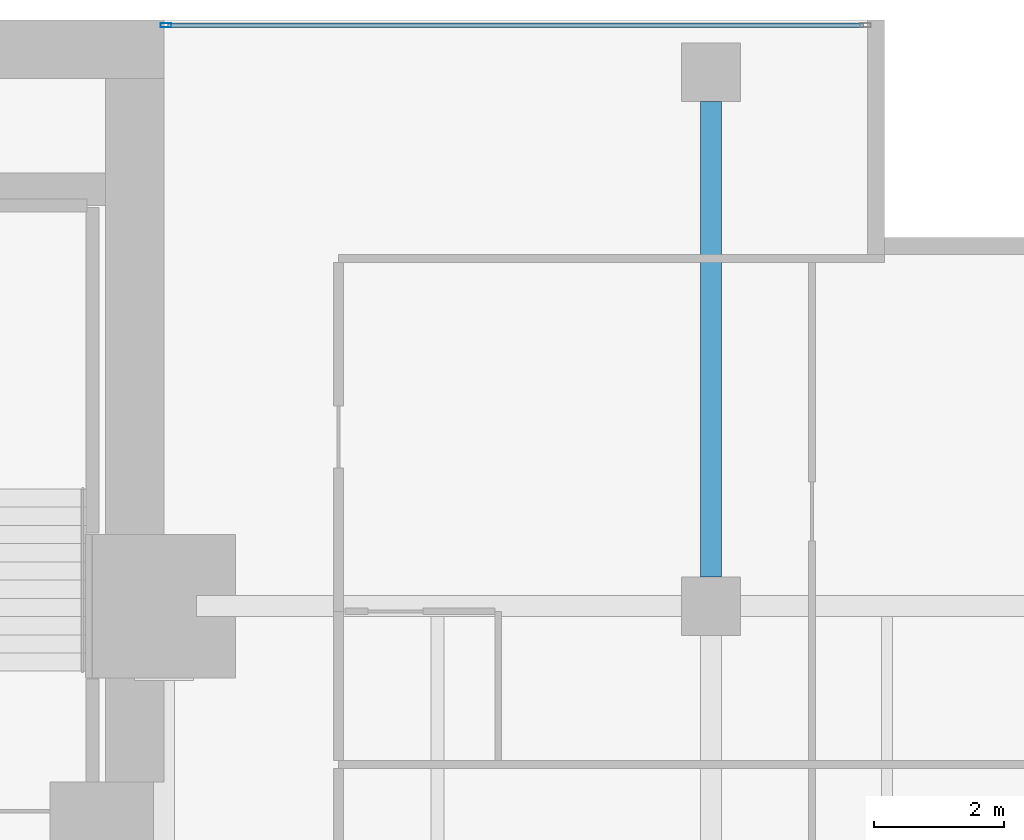
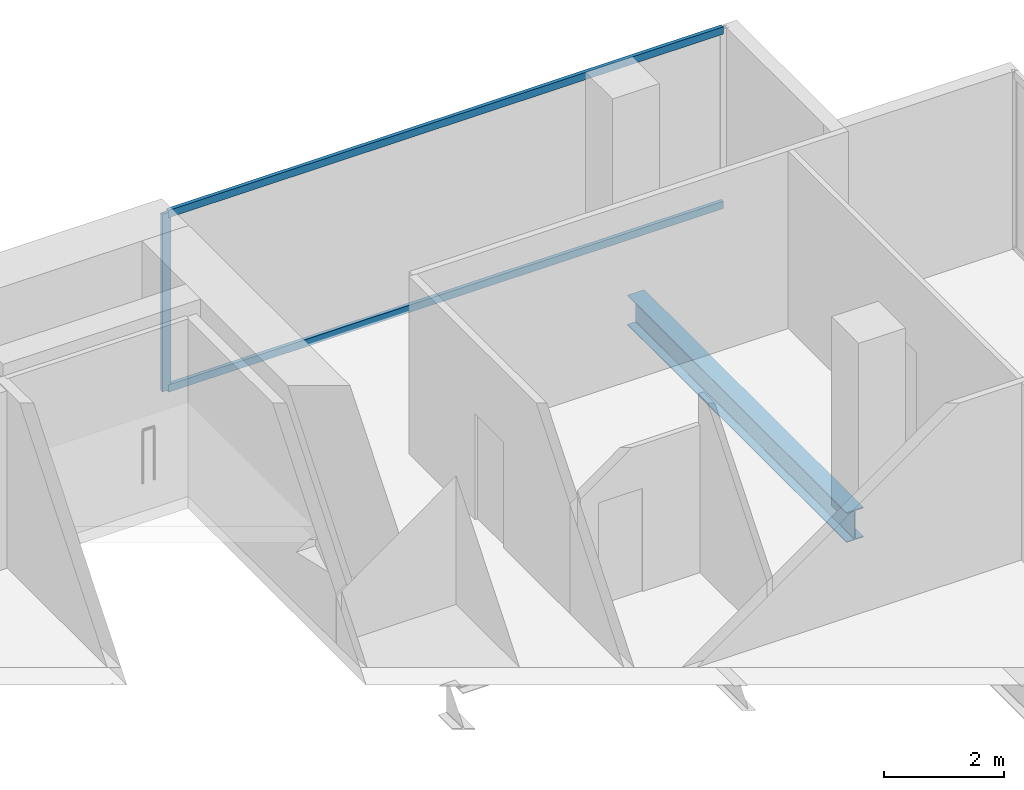
# One storey, part 30 of 40: 3 members, 1 beam, 1 element without a shape of its own.
"""IFC4 building model written with IfcOpenShell, lengths in metres."""

import ifcopenshell
import ifcopenshell.guid

model = None  # the IFC model being written
_history = None  # IfcOwnerHistory: only IFC2X3 demands one
_inside = {}  # id of a spatial element -> (the spatial element, [elements in it])
_under = {}  # id of a project, library or spatial element -> (it, [spatial elements below it])
_declared = {}  # id of a project -> (the project, [libraries it declares])
_typed = {}  # id of a type object -> (the type object, [elements of that type])
_made_of = {}  # id of a material, layer set ... -> (it, [elements and type objects made of it])


def new_model(schema):
    """Start an empty IFC model of exactly this schema.

    Asked for "IFC4X3", IfcOpenShell would pick the latest addendum, in which some entities
    have other attributes; the version numbers below select the first issue.
    IFC2X3 requires an IfcOwnerHistory on every rooted entity: one is made here for all.
    """
    global model, _history
    if schema == "IFC4X3":
        model = ifcopenshell.file(schema_version=(4, 3, 0, 0))
    else:
        model = ifcopenshell.file(schema=schema)
    _inside.clear()
    _under.clear()
    _declared.clear()
    _typed.clear()
    _made_of.clear()
    _history = None
    if model.schema == "IFC2X3":
        org = make("IfcOrganization", Name="unknown")
        user = make(
            "IfcPersonAndOrganization",
            ThePerson=make("IfcPerson", FamilyName="unknown"),
            TheOrganization=org,
        )
        app = make(
            "IfcApplication",
            ApplicationDeveloper=org,
            Version="unknown",
            ApplicationFullName="unknown",
            ApplicationIdentifier="unknown",
        )
        _history = make(
            "IfcOwnerHistory",
            OwningUser=user,
            OwningApplication=app,
            ChangeAction="ADDED",
            CreationDate=0,
        )
    return model


def make(cls, **values):
    """One entity of the class cls with the attributes given. An attribute that is None is left unset."""
    return model.create_entity(
        cls, **{name: value for name, value in values.items() if value is not None}
    )


def rooted(cls, **values):
    """An entity with a GlobalId (a new one), such as an element, a storey or a relation."""
    return make(cls, GlobalId=ifcopenshell.guid.new(), OwnerHistory=_history, **values)


def si_unit(unit_type, name, prefix=None):
    """IfcSIUnit, for example si_unit("LENGTHUNIT", "METRE", prefix="MILLI")."""
    return make("IfcSIUnit", UnitType=unit_type, Prefix=prefix, Name=name)


def assignment(units):
    """IfcUnitAssignment: the units of a project."""
    return None if units is None else make("IfcUnitAssignment", Units=units)


def point(xyz):
    """IfcCartesianPoint."""
    return None if xyz is None else make("IfcCartesianPoint", Coordinates=xyz)


def direction(xyz):
    """IfcDirection."""
    return None if xyz is None else make("IfcDirection", DirectionRatios=xyz)


def frame(location, z_axis=None, x_axis=None):
    """IfcAxis2Placement3D, a coordinate frame: its origin and axes. An axis left out is left unset."""
    return make(
        "IfcAxis2Placement3D",
        Location=point(location),
        Axis=direction(z_axis),
        RefDirection=direction(x_axis),
    )


def frame_2d(location, x_axis=None):
    """IfcAxis2Placement2D, a coordinate frame in the plane: its origin and x axis."""
    return make(
        "IfcAxis2Placement2D", Location=point(location), RefDirection=direction(x_axis)
    )


def origin():
    """The frame at (0, 0, 0) with its axes left unset."""
    return frame((0.0, 0.0, 0.0))


def origin_2d():
    """The frame at (0, 0) in the plane with its x axis left unset."""
    return frame_2d((0.0, 0.0))


def place(relative_to, where):
    """IfcLocalPlacement: puts the frame where relative to a parent placement (None: the world)."""
    return make(
        "IfcLocalPlacement", PlacementRelTo=relative_to, RelativePlacement=where
    )


def context(
    kind, dimensions, precision=None, world=None, true_north=None, identifier=None
):
    """IfcGeometricRepresentationContext, for example the 3D "Model" context."""
    return make(
        "IfcGeometricRepresentationContext",
        ContextIdentifier=identifier,
        ContextType=kind,
        CoordinateSpaceDimension=dimensions,
        Precision=precision,
        WorldCoordinateSystem=world,
        TrueNorth=true_north,
    )


def subcontext(parent, identifier, kind, view, scale=None):
    """IfcGeometricRepresentationSubContext, for example "Body" below "Model"."""
    return make(
        "IfcGeometricRepresentationSubContext",
        ContextIdentifier=identifier,
        ContextType=kind,
        ParentContext=parent,
        TargetScale=scale,
        TargetView=view,
    )


def project(units=None, contexts=None):
    """IfcProject with its units and contexts."""
    return rooted(
        "IfcProject",
        Name="project",
        RepresentationContexts=contexts,
        UnitsInContext=assignment(units),
    )


def spatial(cls, under=None, at=None, **own):
    """A site, building, storey or space (cls), placed at a placement, below another one or the project."""
    s = rooted(cls, ObjectPlacement=at, **own)
    if under is not None:
        _under.setdefault(under.id(), (under, []))[1].append(s)
    return s


def profile(cls, at=None, kind="AREA", **sizes):
    """A parametric profile (cls). Its sizes go by their IFC names, for example OverallWidth=200.0."""
    return make(cls, ProfileType=kind, Position=at, **sizes)


def hollow_rectangle(**sizes):
    """IfcRectangleHollowProfileDef."""
    return profile("IfcRectangleHollowProfileDef", **sizes)


def i_section(**sizes):
    """IfcIShapeProfileDef."""
    return profile("IfcIShapeProfileDef", **sizes)


def extrude(swept, where, along, depth):
    """IfcExtrudedAreaSolid: the profile swept, set in the frame where, extruded along a direction by depth."""
    return make(
        "IfcExtrudedAreaSolid",
        SweptArea=swept,
        Position=where,
        ExtrudedDirection=direction(along),
        Depth=depth,
    )


def shape(context_of_items, identifier, shape_type, items):
    """IfcShapeRepresentation: the items that make up one representation, for example the "Body"."""
    return make(
        "IfcShapeRepresentation",
        ContextOfItems=context_of_items,
        RepresentationIdentifier=identifier,
        RepresentationType=shape_type,
        Items=items,
    )


def material(Name=None, Category=None):
    """IfcMaterial."""
    return make("IfcMaterial", Name=Name, Category=Category)


def layer(
    of_material, thickness, ventilated=None, Name=None, Category=None, Priority=None
):
    """IfcMaterialLayer: one layer of a wall or slab, of a material (None: an air gap)."""
    return make(
        "IfcMaterialLayer",
        Material=of_material,
        LayerThickness=thickness,
        IsVentilated=ventilated,
        Name=Name,
        Category=Category,
        Priority=Priority,
    )


def layer_set(layers, Name=None):
    """IfcMaterialLayerSet."""
    return make("IfcMaterialLayerSet", MaterialLayers=layers, LayerSetName=Name)


def material_profile(
    of_material, cross_section, Name=None, Category=None, Priority=None
):
    """IfcMaterialProfile: a cross section and its material."""
    return make(
        "IfcMaterialProfile",
        Name=Name,
        Material=of_material,
        Profile=cross_section,
        Priority=Priority,
        Category=Category,
    )


def profile_set(profiles, Name=None, composite=None):
    """IfcMaterialProfileSet."""
    return make(
        "IfcMaterialProfileSet",
        Name=Name,
        MaterialProfiles=profiles,
        CompositeProfile=composite,
    )


def made_of(thing, what):
    """Note that an element or type object is made of a material, layer set ...; save() writes the relation."""
    if what is not None:
        _made_of.setdefault(what.id(), (what, []))[1].append(thing)
    return thing


def type_object(cls, material=None, **own):
    """A type object (cls), such as IfcWallType, which elements share."""
    return made_of(rooted(cls, **own), material)


def element(
    cls,
    number,
    at=None,
    inside=None,
    cuts=None,
    type_object=None,
    material=None,
    context=None,
    identifier="Body",
    shape_type=None,
    held_by="IfcProductDefinitionShape",
    body=None,
    shapes=None,
    **own,
):
    """One element of the class cls, such as IfcWall. Its Tag is "e" and its number.

    at: its placement. inside: the storey or other place that contains it. cuts: it is an
    opening in that element (IfcRelVoidsElement). A single representation is given by context,
    identifier, shape_type and body (its items); several are given by shapes. held_by: the class
    of the entity that holds the representations. save() writes the other relations.
    """
    e = rooted(cls, Tag="e%d" % number, ObjectPlacement=at, **own)
    if body is not None:
        shapes = [shape(context, identifier, shape_type, body)]
    if shapes is not None:
        e.Representation = make(held_by, Representations=shapes)
    if inside is not None:
        _inside.setdefault(inside.id(), (inside, []))[1].append(e)
    if cuts is not None:
        rooted(
            "IfcRelVoidsElement", RelatingBuildingElement=cuts, RelatedOpeningElement=e
        )
    if type_object is not None:
        _typed.setdefault(type_object.id(), (type_object, []))[1].append(e)
    return made_of(e, material)


def aggregate(whole, parts):
    """IfcRelAggregates: a whole, such as a stair, and the parts it consists of."""
    return rooted("IfcRelAggregates", RelatingObject=whole, RelatedObjects=parts)


def save(model, path):
    """Write the relations noted so far, then the file.

    IfcRelAggregates (storeys below a building ...), IfcRelContainedInSpatialStructure (elements
    in a storey), IfcRelDefinesByType, IfcRelAssociatesMaterial and IfcRelDeclares: one each for
    every whole, place, type object, material and project.
    """
    for whole, parts in _under.values():
        aggregate(whole, parts)
    for where, things in _inside.values():
        rooted(
            "IfcRelContainedInSpatialStructure",
            RelatedElements=things,
            RelatingStructure=where,
        )
    for kind, things in _typed.values():
        rooted("IfcRelDefinesByType", RelatedObjects=things, RelatingType=kind)
    for what, things in _made_of.values():
        rooted("IfcRelAssociatesMaterial", RelatedObjects=things, RelatingMaterial=what)
    for by, libraries in _declared.values():
        rooted("IfcRelDeclares", RelatingContext=by, RelatedDefinitions=libraries)
    model.write(path)


model = new_model("IFC4")

# Units and contexts
model_context = context("Model", 3, precision=1e-05, world=origin(), true_north=direction((0.0, 1.0)))
body_context = subcontext(model_context, "Body", "Model", "MODEL_VIEW")
ifc_project = project(units=[si_unit("LENGTHUNIT", "METRE"), si_unit("AREAUNIT", "SQUARE_METRE"), si_unit("VOLUMEUNIT", "CUBIC_METRE"), si_unit("PLANEANGLEUNIT", "RADIAN"), si_unit("MASSUNIT", "GRAM", prefix="KILO")], contexts=[model_context])

# Site, building, storey
site_placement = place(None, origin())
site = spatial("IfcSite", under=ifc_project, at=site_placement, CompositionType="ELEMENT")
building_placement = place(site_placement, origin())
building = spatial("IfcBuilding", under=site, at=building_placement, Name="Maruvema Waterfront Hotel and Observation Tower", CompositionType="ELEMENT")
storey_placement = place(building_placement, frame((0.0, 0.0, 88.550048828125)))
storey = spatial("IfcBuildingStorey", under=building, at=storey_placement, Name="L21", CompositionType="ELEMENT", Elevation=88.550048828125)

# Curtain wall, members
ifc_material_1 = material(Name="Anodised bronze aluminium and solar-control low-E IGU", Category="aluminium")
ifc_layer = layer(ifc_material_1, 0.159912109375, Name="Zone 1 Bronze Inner Thermal Curtain Wall System CW-02")
ifc_layer_set = layer_set([ifc_layer], Name="Anodised bronze aluminium and solar-control low-E IGU")
curtain_wall_type = type_object("IfcCurtainWallType", Name="Zone 1 Bronze Inner Thermal Curtain Wall System CW-02", PredefinedType="USERDEFINED", material=ifc_layer_set)
curtain_wall_placement = place(storey_placement, origin())
curtain_wall = element("IfcCurtainWall", 1, at=curtain_wall_placement, inside=storey, type_object=curtain_wall_type, Name="L21 Curtain Wall CW-L21-NE", ObjectType="UNITISED CURTAIN WALL", PredefinedType="USERDEFINED")
ifc_material_2 = material(Name="Anodised architectural bronze aluminium", Category="aluminium")
ifc_material_profile_1 = material_profile(ifc_material_2, hollow_rectangle(XDim=0.070068359375, YDim=0.14990234375, WallThickness=0.00390625, at=origin_2d()), Name="ALU-T70x150")
ifc_profile_set_1 = profile_set([ifc_material_profile_1], Name="Anodised architectural bronze aluminium")
member_type_1 = type_object("IfcMemberType", Name="Curtain Wall Horizontal Transom ALU-T70x150", PredefinedType="USERDEFINED", material=ifc_profile_set_1)
member_1_placement = place(storey_placement, frame((61.139892578125, 53.919921875, 0.030029296875), z_axis=(-1.0, 0.0, 0.0), x_axis=(0.0, -1.0, 0.0)))
member_1 = element("IfcMember", 2, at=member_1_placement, type_object=member_type_1, Name="CW-02 transom 1.1", ObjectType="TRANSOM", PredefinedType="USERDEFINED", context=body_context, shape_type="SweptSolid", body=[
    extrude(hollow_rectangle(XDim=0.070068359375, YDim=0.14990234375, WallThickness=0.00390625, at=origin_2d()), origin(), (0.0, 0.0, 1.0), 10.679931640625),
])
member_2_placement = place(storey_placement, frame((61.139892578125, 53.919921875, 3.579833984375), z_axis=(-1.0, 0.0, 0.0), x_axis=(0.0, -1.0, 0.0)))
member_2 = element("IfcMember", 3, at=member_2_placement, type_object=member_type_1, Name="CW-02 transom 1.2", ObjectType="TRANSOM", PredefinedType="USERDEFINED", context=body_context, shape_type="SweptSolid", body=[
    extrude(hollow_rectangle(XDim=0.070068359375, YDim=0.14990234375, WallThickness=0.00390625, at=origin_2d()), origin(), (0.0, 0.0, 1.0), 10.679931640625),
])
ifc_material_3 = material(Name="Anodised architectural bronze aluminium", Category="aluminium")
ifc_material_profile_2 = material_profile(ifc_material_3, hollow_rectangle(XDim=0.06494140625, YDim=0.1650390625, WallThickness=0.00390625, at=origin_2d()), Name="ALU-M65x165")
ifc_profile_set_2 = profile_set([ifc_material_profile_2], Name="Anodised architectural bronze aluminium")
member_type_2 = type_object("IfcMemberType", Name="Curtain Wall Primary Mullion ALU-M65x165", PredefinedType="MULLION", material=ifc_profile_set_2)
member_3_placement = place(storey_placement, frame((50.429931640625, 53.919921875, 0.0), z_axis=(0.0, 0.0, 1.0), x_axis=(0.0, -1.0, 0.0)))
member_3 = element("IfcMember", 4, at=member_3_placement, type_object=member_type_2, Name="CW-02 mullion 2", PredefinedType="MULLION", context=body_context, shape_type="SweptSolid", body=[
    extrude(hollow_rectangle(XDim=0.06494140625, YDim=0.1650390625, WallThickness=0.00390625, at=origin_2d()), origin(), (0.0, 0.0, 1.0), 3.60986328125),
])
aggregate(curtain_wall, [member_3, member_1, member_2])

# Beam
ifc_material_4 = material(Name="Steel ASTM A572 Grade 50", Category="steel")
ifc_material_profile_3 = material_profile(ifc_material_4, i_section(OverallWidth=0.323974609375, OverallDepth=0.611083984375, WebThickness=0.0126953125, FlangeThickness=0.01904296875, FilletRadius=0.01806640625, at=origin_2d()), Name="W610x155.0")
ifc_profile_set_3 = profile_set([ifc_material_profile_3], Name="Steel ASTM A572 Grade 50")
beam_type = type_object("IfcBeamType", Name="Primary Floor Girder W610x155.0", PredefinedType="BEAM", material=ifc_profile_set_3)
beam_placement = place(storey_placement, frame((58.800048828125, 45.449951171875, -0.545654296875), z_axis=(0.0, 1.0, 0.0), x_axis=(-1.0, 0.0, 0.0)))
element("IfcBeam", 5, at=beam_placement, inside=storey, type_object=beam_type, Name="L21 Floor Girder NS-32", PredefinedType="BEAM", context=body_context, shape_type="SweptSolid", body=[
    extrude(i_section(OverallWidth=0.323974609375, OverallDepth=0.611083984375, WebThickness=0.0126953125, FlangeThickness=0.01904296875, FilletRadius=0.01806640625, at=origin_2d()), origin(), (0.0, 0.0, 1.0), 7.300048828125),
])

save(model, "model.ifc")
